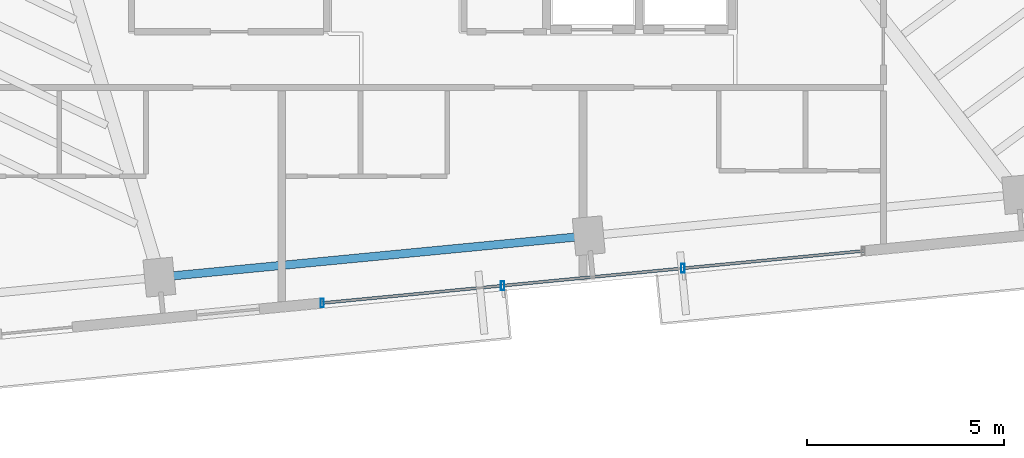
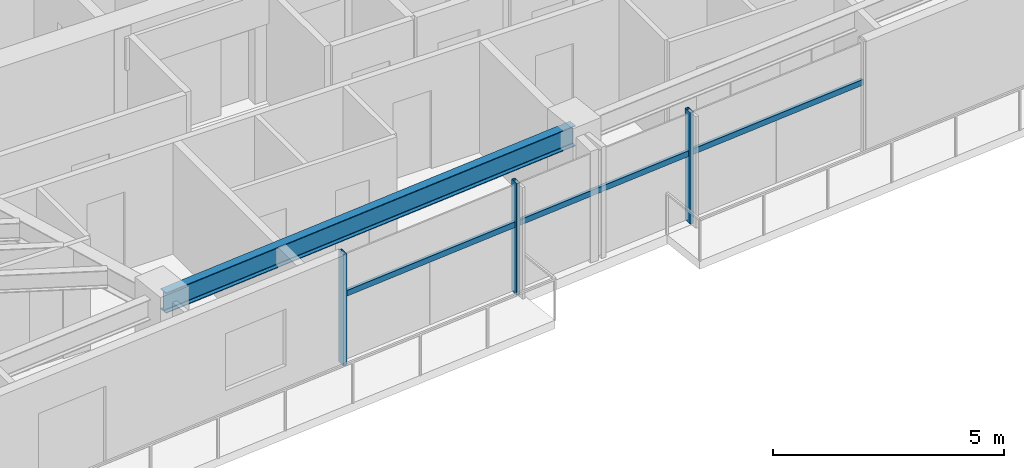
# One storey, part 4 of 18: 6 members, 1 beam, 1 element without a shape of its own.
"""IFC4 building model written with IfcOpenShell, lengths in metres."""

from ifc_helpers import new_model, si_unit, direction, frame, origin, origin_2d, place, context, subcontext, project, spatial, hollow_rectangle, i_section, extrude, source, transform, mapped, material, material_profile, profile_set, type_object, type_shapes, element, aggregate, save


model = new_model("IFC4")

# Units and contexts
model_context = context("Model", 3, precision=1e-05, world=origin(), true_north=direction((0.0, 1.0)))
body_context = subcontext(model_context, "Body", "Model", "MODEL_VIEW")
ifc_project = project(units=[si_unit("LENGTHUNIT", "METRE"), si_unit("AREAUNIT", "SQUARE_METRE"), si_unit("VOLUMEUNIT", "CUBIC_METRE"), si_unit("PLANEANGLEUNIT", "RADIAN"), si_unit("MASSUNIT", "GRAM", prefix="KILO")], contexts=[model_context])

# Site, building, storey
site_placement = place(None, origin())
site = spatial("IfcSite", under=ifc_project, at=site_placement, CompositionType="ELEMENT")
building_placement = place(site_placement, origin())
building = spatial("IfcBuilding", under=site, at=building_placement, Name="Astriad Promenade Condominiums", CompositionType="ELEMENT")
storey_placement = place(building_placement, frame((0.0, 0.0, 205.0)))
storey = spatial("IfcBuildingStorey", under=building, at=storey_placement, Name="L59", CompositionType="ELEMENT", Elevation=205.0)

# Beam
ifc_material_1 = material(Name="Steel ASTM A992 Grade 50", Category="steel")
ifc_material_profile_1 = material_profile(ifc_material_1, i_section(OverallWidth=0.210693359375, OverallDepth=0.53955078125, WebThickness=0.01171875, FlangeThickness=0.018798828125, FilletRadius=0.0166015625, at=origin_2d()), Name="W21X73")
ifc_profile_set_1 = profile_set([ifc_material_profile_1], Name="Steel ASTM A992 Grade 50")
beam_type = type_object("IfcBeamType", Name="STEEL SPANDREL BEAM W21X73", PredefinedType="SPANDREL", material=ifc_profile_set_1)
shared_shape_1 = source(origin(), body_context, "Body", "SweptSolid", [
    extrude(i_section(OverallWidth=0.210693359375, OverallDepth=0.53955078125, WebThickness=0.01171875, FlangeThickness=0.018798828125, FilletRadius=0.0166015625, at=origin_2d()), origin(), (0.0, 0.0, 1.0), 10.8701171875),
])
type_shapes(beam_type, [shared_shape_1])
beam_placement = place(storey_placement, frame((29.10888671875, 8.47119140625, 2.67041015625), z_axis=(0.995394986184, 0.09585834069, 0.0), x_axis=(-0.09585834069, 0.995394986184, 0.0)))
element("IfcBeam", 1, at=beam_placement, inside=storey, type_object=beam_type, Name="Perimeter Spandrel Beam SP-S2-L59", PredefinedType="SPANDREL", context=body_context, shape_type="MappedRepresentation", body=[
    mapped(shared_shape_1, transform((0.0, 0.0, 0.0), scale=1.0)),
])

# Curtain wall, members
ifc_material_2 = material(Name="Anodised aluminium Black Dark Glass Unitised", Category="aluminium")
curtain_wall_type = type_object("IfcCurtainWallType", Name="CW-B34-DARK", PredefinedType="USERDEFINED", material=ifc_material_2)
curtain_wall_placement = place(storey_placement, origin())
curtain_wall = element("IfcCurtainWall", 2, at=curtain_wall_placement, inside=storey, type_object=curtain_wall_type, Name="CW-L59-S", ObjectType="UNITISED_CURTAIN_WALL", PredefinedType="USERDEFINED")
ifc_material_3 = material(Name="Anodised aluminium 6063-T6 Black", Category="aluminium")
ifc_material_profile_2 = material_profile(ifc_material_3, hollow_rectangle(XDim=0.0849609375, YDim=0.219970703125, WallThickness=0.0048828125, at=origin_2d()), Name="ALU-MUL-85X220")
ifc_profile_set_2 = profile_set([ifc_material_profile_2], Name="Anodised aluminium 6063-T6 Black")
member_type_1 = type_object("IfcMemberType", Name="MUL-ALU-MUL-85X220", PredefinedType="MULLION", material=ifc_profile_set_2)
shared_shape_2 = source(origin(), body_context, "Body", "SweptSolid", [
    extrude(hollow_rectangle(XDim=0.0849609375, YDim=0.219970703125, WallThickness=0.0048828125, at=origin_2d()), origin(), (0.0, 0.0, 1.0), 2.93994140625),
])
type_shapes(member_type_1, [shared_shape_2])
member_1_placement = place(storey_placement, frame((42.358642578125, 8.692138671875, 0.0), z_axis=(0.0, 0.0, 1.0), x_axis=(1.0, 0.0, 0.0)))
member_1 = element("IfcMember", 3, at=member_1_placement, type_object=member_type_1, Name="CW-L59-S-MUL-01", PredefinedType="MULLION", context=body_context, shape_type="MappedRepresentation", body=[
    mapped(shared_shape_2, transform((0.0, 0.0, 0.0), scale=1.0)),
])
member_2_placement = place(storey_placement, frame((37.77978515625, 8.251220703125, 0.0), z_axis=(0.0, 0.0, 1.0), x_axis=(1.0, 0.0, 0.0)))
member_2 = element("IfcMember", 4, at=member_2_placement, type_object=member_type_1, Name="CW-L59-S-MUL-02", PredefinedType="MULLION", context=body_context, shape_type="MappedRepresentation", body=[
    mapped(shared_shape_2, transform((0.0, 0.0, 0.0), scale=1.0)),
])
member_3_placement = place(storey_placement, frame((33.201171875, 7.810302734375, 0.0), z_axis=(0.0, 0.0, 1.0), x_axis=(1.0, 0.0, 0.0)))
member_3 = element("IfcMember", 5, at=member_3_placement, type_object=member_type_1, Name="CW-L59-S-MUL-03", PredefinedType="MULLION", context=body_context, shape_type="MappedRepresentation", body=[
    mapped(shared_shape_2, transform((0.0, 0.0, 0.0), scale=1.0)),
])
ifc_material_profile_3 = material_profile(ifc_material_3, hollow_rectangle(XDim=0.074951171875, YDim=0.14990234375, WallThickness=0.004150390625, at=origin_2d()), Name="ALU-TRN-75X150")
ifc_profile_set_3 = profile_set([ifc_material_profile_3], Name="Anodised aluminium 6063-T6 Black")
member_type_2 = type_object("IfcMemberType", Name="TRN-ALU-TRN-75X150", PredefinedType="USERDEFINED", material=ifc_profile_set_3)
shared_shape_3 = source(origin(), body_context, "Body", "SweptSolid", [
    extrude(hollow_rectangle(XDim=0.074951171875, YDim=0.14990234375, WallThickness=0.004150390625, at=origin_2d()), origin(), (0.0, 0.0, 1.0), 4.60009765625),
])
member_4_placement = place(storey_placement, frame((46.9375, 9.133056640625, 1.82275390625), z_axis=(-0.995395697572, -0.095850953336, 0.0), x_axis=(0.095850953336, -0.995395697572, 0.0)))
member_4 = element("IfcMember", 6, at=member_4_placement, type_object=member_type_2, Name="CW-L59-S-TRN-00-0", ObjectType="TRANSOM", PredefinedType="USERDEFINED", context=body_context, shape_type="MappedRepresentation", body=[
    mapped(shared_shape_3, transform((0.0, 0.0, 0.0), scale=1.0)),
])
member_5_placement = place(storey_placement, frame((42.358642578125, 8.692138671875, 1.82275390625), z_axis=(-0.995395697572, -0.095850953336, 0.0), x_axis=(0.095850953336, -0.995395697572, 0.0)))
member_5 = element("IfcMember", 7, at=member_5_placement, type_object=member_type_2, Name="CW-L59-S-TRN-01-0", ObjectType="TRANSOM", PredefinedType="USERDEFINED", context=body_context, shape_type="MappedRepresentation", body=[
    mapped(shared_shape_3, transform((0.0, 0.0, 0.0), scale=1.0)),
])
shared_shape_4 = source(origin(), body_context, "Body", "SweptSolid", [
    extrude(hollow_rectangle(XDim=0.074951171875, YDim=0.14990234375, WallThickness=0.004150390625, at=origin_2d()), origin(), (0.0, 0.0, 1.0), 4.599853515625),
])
type_shapes(member_type_2, [shared_shape_3, shared_shape_4])
member_6_placement = place(storey_placement, frame((37.77978515625, 8.251220703125, 1.82275390625), z_axis=(-0.995395209924, -0.095856017336, 0.0), x_axis=(0.095856017336, -0.995395209924, 0.0)))
member_6 = element("IfcMember", 8, at=member_6_placement, type_object=member_type_2, Name="CW-L59-S-TRN-02-0", ObjectType="TRANSOM", PredefinedType="USERDEFINED", context=body_context, shape_type="MappedRepresentation", body=[
    mapped(shared_shape_4, transform((0.0, 0.0, 0.0), scale=1.0)),
])
aggregate(curtain_wall, [member_1, member_2, member_3, member_4, member_5, member_6])

save(model, "model.ifc")
